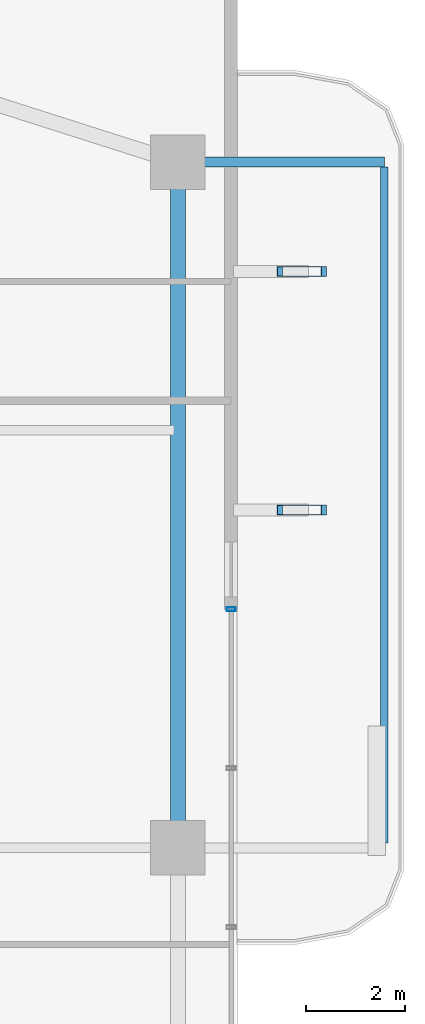
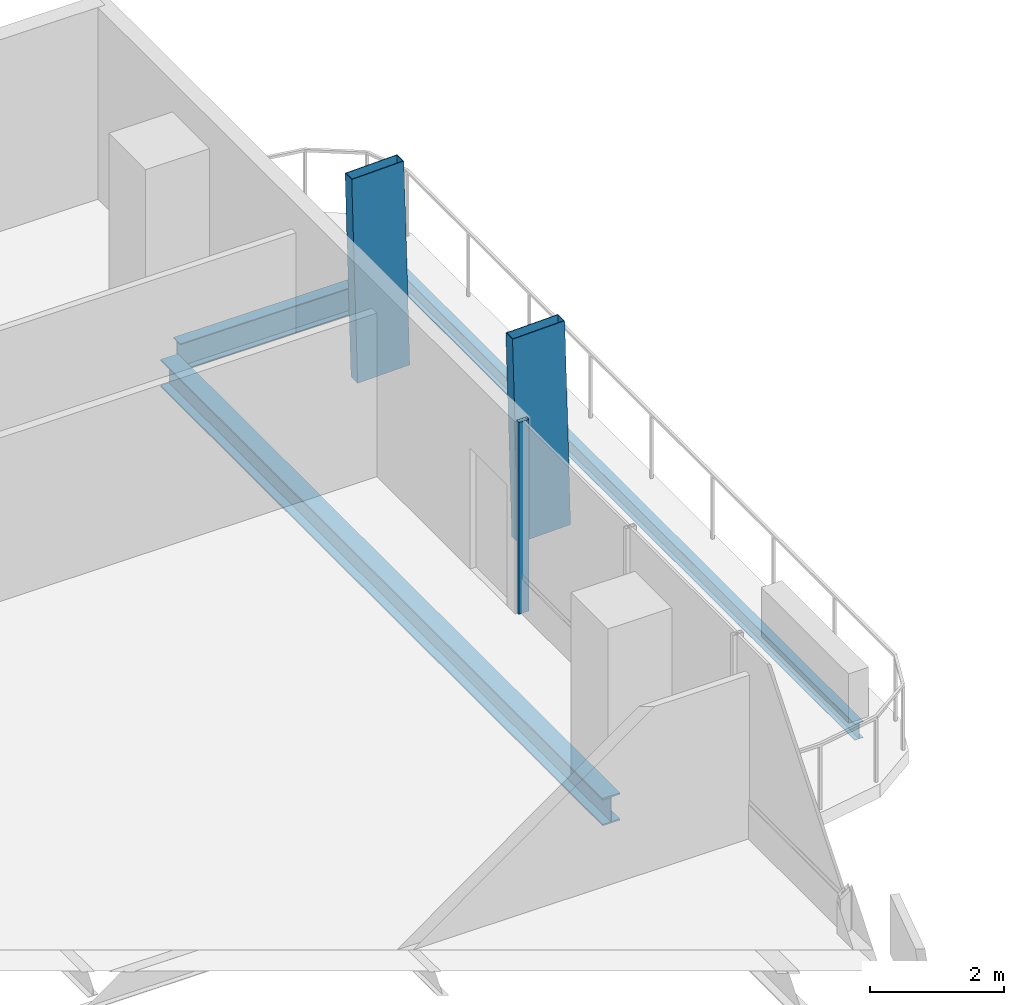
# One storey, part 15 of 23: 3 beams, 3 members, 1 element without a shape of its own.
"""IFC4 building model written with IfcOpenShell, lengths in metres."""

import ifcopenshell
import ifcopenshell.guid

model = None  # the IFC model being written
_history = None  # IfcOwnerHistory: only IFC2X3 demands one
_inside = {}  # id of a spatial element -> (the spatial element, [elements in it])
_under = {}  # id of a project, library or spatial element -> (it, [spatial elements below it])
_declared = {}  # id of a project -> (the project, [libraries it declares])
_typed = {}  # id of a type object -> (the type object, [elements of that type])
_made_of = {}  # id of a material, layer set ... -> (it, [elements and type objects made of it])


def new_model(schema):
    """Start an empty IFC model of exactly this schema.

    Asked for "IFC4X3", IfcOpenShell would pick the latest addendum, in which some entities
    have other attributes; the version numbers below select the first issue.
    IFC2X3 requires an IfcOwnerHistory on every rooted entity: one is made here for all.
    """
    global model, _history
    if schema == "IFC4X3":
        model = ifcopenshell.file(schema_version=(4, 3, 0, 0))
    else:
        model = ifcopenshell.file(schema=schema)
    _inside.clear()
    _under.clear()
    _declared.clear()
    _typed.clear()
    _made_of.clear()
    _history = None
    if model.schema == "IFC2X3":
        org = make("IfcOrganization", Name="unknown")
        user = make(
            "IfcPersonAndOrganization",
            ThePerson=make("IfcPerson", FamilyName="unknown"),
            TheOrganization=org,
        )
        app = make(
            "IfcApplication",
            ApplicationDeveloper=org,
            Version="unknown",
            ApplicationFullName="unknown",
            ApplicationIdentifier="unknown",
        )
        _history = make(
            "IfcOwnerHistory",
            OwningUser=user,
            OwningApplication=app,
            ChangeAction="ADDED",
            CreationDate=0,
        )
    return model


def make(cls, **values):
    """One entity of the class cls with the attributes given. An attribute that is None is left unset."""
    return model.create_entity(
        cls, **{name: value for name, value in values.items() if value is not None}
    )


def rooted(cls, **values):
    """An entity with a GlobalId (a new one), such as an element, a storey or a relation."""
    return make(cls, GlobalId=ifcopenshell.guid.new(), OwnerHistory=_history, **values)


def si_unit(unit_type, name, prefix=None):
    """IfcSIUnit, for example si_unit("LENGTHUNIT", "METRE", prefix="MILLI")."""
    return make("IfcSIUnit", UnitType=unit_type, Prefix=prefix, Name=name)


def assignment(units):
    """IfcUnitAssignment: the units of a project."""
    return None if units is None else make("IfcUnitAssignment", Units=units)


def point(xyz):
    """IfcCartesianPoint."""
    return None if xyz is None else make("IfcCartesianPoint", Coordinates=xyz)


def direction(xyz):
    """IfcDirection."""
    return None if xyz is None else make("IfcDirection", DirectionRatios=xyz)


def frame(location, z_axis=None, x_axis=None):
    """IfcAxis2Placement3D, a coordinate frame: its origin and axes. An axis left out is left unset."""
    return make(
        "IfcAxis2Placement3D",
        Location=point(location),
        Axis=direction(z_axis),
        RefDirection=direction(x_axis),
    )


def frame_2d(location, x_axis=None):
    """IfcAxis2Placement2D, a coordinate frame in the plane: its origin and x axis."""
    return make(
        "IfcAxis2Placement2D", Location=point(location), RefDirection=direction(x_axis)
    )


def origin():
    """The frame at (0, 0, 0) with its axes left unset."""
    return frame((0.0, 0.0, 0.0))


def origin_2d():
    """The frame at (0, 0) in the plane with its x axis left unset."""
    return frame_2d((0.0, 0.0))


def place(relative_to, where):
    """IfcLocalPlacement: puts the frame where relative to a parent placement (None: the world)."""
    return make(
        "IfcLocalPlacement", PlacementRelTo=relative_to, RelativePlacement=where
    )


def context(
    kind, dimensions, precision=None, world=None, true_north=None, identifier=None
):
    """IfcGeometricRepresentationContext, for example the 3D "Model" context."""
    return make(
        "IfcGeometricRepresentationContext",
        ContextIdentifier=identifier,
        ContextType=kind,
        CoordinateSpaceDimension=dimensions,
        Precision=precision,
        WorldCoordinateSystem=world,
        TrueNorth=true_north,
    )


def subcontext(parent, identifier, kind, view, scale=None):
    """IfcGeometricRepresentationSubContext, for example "Body" below "Model"."""
    return make(
        "IfcGeometricRepresentationSubContext",
        ContextIdentifier=identifier,
        ContextType=kind,
        ParentContext=parent,
        TargetScale=scale,
        TargetView=view,
    )


def project(units=None, contexts=None):
    """IfcProject with its units and contexts."""
    return rooted(
        "IfcProject",
        Name="project",
        RepresentationContexts=contexts,
        UnitsInContext=assignment(units),
    )


def spatial(cls, under=None, at=None, **own):
    """A site, building, storey or space (cls), placed at a placement, below another one or the project."""
    s = rooted(cls, ObjectPlacement=at, **own)
    if under is not None:
        _under.setdefault(under.id(), (under, []))[1].append(s)
    return s


def profile(cls, at=None, kind="AREA", **sizes):
    """A parametric profile (cls). Its sizes go by their IFC names, for example OverallWidth=200.0."""
    return make(cls, ProfileType=kind, Position=at, **sizes)


def hollow_rectangle(**sizes):
    """IfcRectangleHollowProfileDef."""
    return profile("IfcRectangleHollowProfileDef", **sizes)


def i_section(**sizes):
    """IfcIShapeProfileDef."""
    return profile("IfcIShapeProfileDef", **sizes)


def extrude(swept, where, along, depth):
    """IfcExtrudedAreaSolid: the profile swept, set in the frame where, extruded along a direction by depth."""
    return make(
        "IfcExtrudedAreaSolid",
        SweptArea=swept,
        Position=where,
        ExtrudedDirection=direction(along),
        Depth=depth,
    )


def shape(context_of_items, identifier, shape_type, items):
    """IfcShapeRepresentation: the items that make up one representation, for example the "Body"."""
    return make(
        "IfcShapeRepresentation",
        ContextOfItems=context_of_items,
        RepresentationIdentifier=identifier,
        RepresentationType=shape_type,
        Items=items,
    )


def material(Name=None, Category=None):
    """IfcMaterial."""
    return make("IfcMaterial", Name=Name, Category=Category)


def layer(
    of_material, thickness, ventilated=None, Name=None, Category=None, Priority=None
):
    """IfcMaterialLayer: one layer of a wall or slab, of a material (None: an air gap)."""
    return make(
        "IfcMaterialLayer",
        Material=of_material,
        LayerThickness=thickness,
        IsVentilated=ventilated,
        Name=Name,
        Category=Category,
        Priority=Priority,
    )


def layer_set(layers, Name=None):
    """IfcMaterialLayerSet."""
    return make("IfcMaterialLayerSet", MaterialLayers=layers, LayerSetName=Name)


def material_profile(
    of_material, cross_section, Name=None, Category=None, Priority=None
):
    """IfcMaterialProfile: a cross section and its material."""
    return make(
        "IfcMaterialProfile",
        Name=Name,
        Material=of_material,
        Profile=cross_section,
        Priority=Priority,
        Category=Category,
    )


def profile_set(profiles, Name=None, composite=None):
    """IfcMaterialProfileSet."""
    return make(
        "IfcMaterialProfileSet",
        Name=Name,
        MaterialProfiles=profiles,
        CompositeProfile=composite,
    )


def made_of(thing, what):
    """Note that an element or type object is made of a material, layer set ...; save() writes the relation."""
    if what is not None:
        _made_of.setdefault(what.id(), (what, []))[1].append(thing)
    return thing


def type_object(cls, material=None, **own):
    """A type object (cls), such as IfcWallType, which elements share."""
    return made_of(rooted(cls, **own), material)


def element(
    cls,
    number,
    at=None,
    inside=None,
    cuts=None,
    type_object=None,
    material=None,
    context=None,
    identifier="Body",
    shape_type=None,
    held_by="IfcProductDefinitionShape",
    body=None,
    shapes=None,
    **own,
):
    """One element of the class cls, such as IfcWall. Its Tag is "e" and its number.

    at: its placement. inside: the storey or other place that contains it. cuts: it is an
    opening in that element (IfcRelVoidsElement). A single representation is given by context,
    identifier, shape_type and body (its items); several are given by shapes. held_by: the class
    of the entity that holds the representations. save() writes the other relations.
    """
    e = rooted(cls, Tag="e%d" % number, ObjectPlacement=at, **own)
    if body is not None:
        shapes = [shape(context, identifier, shape_type, body)]
    if shapes is not None:
        e.Representation = make(held_by, Representations=shapes)
    if inside is not None:
        _inside.setdefault(inside.id(), (inside, []))[1].append(e)
    if cuts is not None:
        rooted(
            "IfcRelVoidsElement", RelatingBuildingElement=cuts, RelatedOpeningElement=e
        )
    if type_object is not None:
        _typed.setdefault(type_object.id(), (type_object, []))[1].append(e)
    return made_of(e, material)


def aggregate(whole, parts):
    """IfcRelAggregates: a whole, such as a stair, and the parts it consists of."""
    return rooted("IfcRelAggregates", RelatingObject=whole, RelatedObjects=parts)


def save(model, path):
    """Write the relations noted so far, then the file.

    IfcRelAggregates (storeys below a building ...), IfcRelContainedInSpatialStructure (elements
    in a storey), IfcRelDefinesByType, IfcRelAssociatesMaterial and IfcRelDeclares: one each for
    every whole, place, type object, material and project.
    """
    for whole, parts in _under.values():
        aggregate(whole, parts)
    for where, things in _inside.values():
        rooted(
            "IfcRelContainedInSpatialStructure",
            RelatedElements=things,
            RelatingStructure=where,
        )
    for kind, things in _typed.values():
        rooted("IfcRelDefinesByType", RelatedObjects=things, RelatingType=kind)
    for what, things in _made_of.values():
        rooted("IfcRelAssociatesMaterial", RelatedObjects=things, RelatingMaterial=what)
    for by, libraries in _declared.values():
        rooted("IfcRelDeclares", RelatingContext=by, RelatedDefinitions=libraries)
    model.write(path)


model = new_model("IFC4")

# Units and contexts
model_context = context("Model", 3, precision=1e-05, world=origin(), true_north=direction((0.0, 1.0)))
body_context = subcontext(model_context, "Body", "Model", "MODEL_VIEW")
ifc_project = project(units=[si_unit("LENGTHUNIT", "METRE"), si_unit("AREAUNIT", "SQUARE_METRE"), si_unit("VOLUMEUNIT", "CUBIC_METRE"), si_unit("PLANEANGLEUNIT", "RADIAN"), si_unit("MASSUNIT", "GRAM", prefix="KILO")], contexts=[model_context])

# Site, building, storey
site_placement = place(None, origin())
site = spatial("IfcSite", under=ifc_project, at=site_placement, CompositionType="ELEMENT")
building_placement = place(site_placement, origin())
building = spatial("IfcBuilding", under=site, at=building_placement, Name="Belovzor Exchange Tower", CompositionType="ELEMENT")
storey_placement = place(building_placement, frame((0.0, 0.0, 157.050048828125)))
storey = spatial("IfcBuildingStorey", under=building, at=storey_placement, Name="L38", CompositionType="ELEMENT", Elevation=157.050048828125)

# Beams
ifc_material_1 = material(Name="Steel S355", Category="steel")
ifc_material_profile_1 = material_profile(ifc_material_1, i_section(OverallWidth=0.199951171875, OverallDepth=0.5, WebThickness=0.01025390625, FlangeThickness=0.01611328125, at=origin_2d()))
ifc_profile_set_1 = profile_set([ifc_material_profile_1], Name="Steel S355")
beam_type_1 = type_object("IfcBeamType", Name="Planted Balcony Cantilever Beam IPE 500", PredefinedType="BEAM", material=ifc_profile_set_1)
beam_1_placement = place(storey_placement, frame((52.202880859375, 42.60009765625, -0.505126953125), z_axis=(1.0, 0.0, 0.0), x_axis=(0.0, 1.0, 0.0)))
element("IfcBeam", 1, at=beam_1_placement, inside=storey, type_object=beam_type_1, Name="BC-500 Planted Balcony Cantilever Beam IPE 500", PredefinedType="BEAM", context=body_context, shape_type="SweptSolid", body=[
    extrude(i_section(OverallWidth=0.199951171875, OverallDepth=0.5, WebThickness=0.01025390625, FlangeThickness=0.01611328125, at=origin_2d()), origin(), (0.0, 0.0, 1.0), 3.85009765625),
])
ifc_material_2 = material(Name="Steel S355", Category="steel")
ifc_material_profile_2 = material_profile(ifc_material_2, i_section(OverallWidth=0.14990234375, OverallDepth=0.300048828125, WebThickness=0.007080078125, FlangeThickness=0.0107421875, at=origin_2d()))
ifc_profile_set_2 = profile_set([ifc_material_profile_2], Name="Steel S355")
beam_type_2 = type_object("IfcBeamType", Name="Planted Balcony Fascia Edge Beam IPE 300", PredefinedType="BEAM", material=ifc_profile_set_2)
beam_2_placement = place(storey_placement, frame((56.052978515625, 28.89990234375, -0.405029296875), z_axis=(0.0, 1.0, 0.0), x_axis=(-1.0, 0.0, 0.0)))
element("IfcBeam", 2, at=beam_2_placement, inside=storey, type_object=beam_type_2, Name="BC-300 Planted Balcony Fascia Edge Beam IPE 300", PredefinedType="BEAM", context=body_context, shape_type="SweptSolid", body=[
    extrude(i_section(OverallWidth=0.14990234375, OverallDepth=0.300048828125, WebThickness=0.007080078125, FlangeThickness=0.0107421875, at=origin_2d()), origin(), (0.0, 0.0, 1.0), 13.60009765625),
])

# Members
ifc_material_3 = material(Name="Extruded Architectural Terracotta on Steel S355 Carrier", Category="masonry")
ifc_material_profile_3 = material_profile(ifc_material_3, hollow_rectangle(XDim=0.199951171875, YDim=0.89990234375, WallThickness=0.011962890625, at=origin_2d()))
ifc_profile_set_3 = profile_set([ifc_material_profile_3], Name="Extruded Architectural Terracotta on Steel S355 Carrier")
member_type_1 = type_object("IfcMemberType", Name="Sweeping Terracotta Baguette Fin Assembly 1250", PredefinedType="USERDEFINED", material=ifc_profile_set_3)
for number, where, z_axis, x_axis, name in (
    (3, (54.443115234375, 35.60009765625, -0.255126953125), (-0.027203470401, 0.0, 0.999629917118), (0.0, -1.0, 0.0), "FIN-TC125 Terracotta Facade Fin L38 E3"),
    (4, (54.443115234375, 40.39990234375, -0.255126953125), (-0.027203470401, 0.0, 0.999629917118), (0.0, -1.0, 0.0), "FIN-TC125 Terracotta Facade Fin L38 E4"),
):
    element("IfcMember", number, at=place(storey_placement, frame(where, z_axis=z_axis, x_axis=x_axis)), inside=storey, type_object=member_type_1, Name=name, ObjectType="FIN", PredefinedType="USERDEFINED", context=body_context, shape_type="SweptSolid", body=[
        extrude(hollow_rectangle(XDim=0.199951171875, YDim=0.89990234375, WallThickness=0.011962890625, at=origin_2d()), origin(), (0.0, 0.0, 1.0), 3.75146484375),
    ])

# Curtain wall, member
ifc_material_4 = material(Name="Anodised Aluminium Framing", Category="aluminium")
ifc_layer = layer(ifc_material_4, 0.179931640625)
ifc_layer_set = layer_set([ifc_layer], Name="Anodised Aluminium Framing")
curtain_wall_type = type_object("IfcCurtainWallType", Name="Recessed Loggia Low-Iron Triple-Glazed Curtain Wall", PredefinedType="NOTDEFINED", material=ifc_layer_set)
curtain_wall_placement = place(storey_placement, origin())
curtain_wall = element("IfcCurtainWall", 5, at=curtain_wall_placement, inside=storey, type_object=curtain_wall_type, Name="CW3 Recessed Loggia Low-Iron Triple-Glazed Curtain Wall L38", PredefinedType="NOTDEFINED")
ifc_material_5 = material(Name="Steel S355", Category="steel")
ifc_material_profile_4 = material_profile(ifc_material_5, hollow_rectangle(XDim=0.074951171875, YDim=0.179931640625, WallThickness=0.0048828125, at=origin_2d()))
ifc_profile_set_4 = profile_set([ifc_material_profile_4], Name="Steel S355")
member_type_2 = type_object("IfcMemberType", Name="Thermally Broken Curtain Wall Mullion 180x75", PredefinedType="MULLION", material=ifc_profile_set_4)
member_placement = place(storey_placement, frame((52.969970703125, 33.60009765625, 0.0), z_axis=(0.0, 0.0, 1.0), x_axis=(0.0, -1.0, 0.0)))
member = element("IfcMember", 6, at=member_placement, type_object=member_type_2, Name="CW-M180 Curtain Wall Mullion 1", PredefinedType="MULLION", context=body_context, shape_type="SweptSolid", body=[
    extrude(hollow_rectangle(XDim=0.074951171875, YDim=0.179931640625, WallThickness=0.0048828125, at=origin_2d()), origin(), (0.0, 0.0, 1.0), 3.494873046875),
])
aggregate(curtain_wall, [member])

# Beam
ifc_material_6 = material(Name="Steel S355", Category="steel")
ifc_material_profile_5 = material_profile(ifc_material_6, i_section(OverallWidth=0.300048828125, OverallDepth=0.5, WebThickness=0.014404296875, FlangeThickness=0.028076171875, at=origin_2d()))
ifc_profile_set_5 = profile_set([ifc_material_profile_5], Name="Steel S355")
beam_type_3 = type_object("IfcBeamType", Name="Zone 3 Waist Primary Girder HEB 500", PredefinedType="BEAM", material=ifc_profile_set_5)
beam_3_placement = place(storey_placement, frame((51.89990234375, 29.10205078125, -0.505126953125), z_axis=(0.0, 1.0, 0.0), x_axis=(-1.0, 0.0, 0.0)))
element("IfcBeam", 7, at=beam_3_placement, inside=storey, type_object=beam_type_3, Name="FG-Z3 Zone 3 Waist Primary Girder HEB 500", PredefinedType="BEAM", context=body_context, shape_type="SweptSolid", body=[
    extrude(i_section(OverallWidth=0.300048828125, OverallDepth=0.5, WebThickness=0.014404296875, FlangeThickness=0.028076171875, at=origin_2d()), origin(), (0.0, 0.0, 1.0), 13.195068359375),
])

save(model, "model.ifc")
